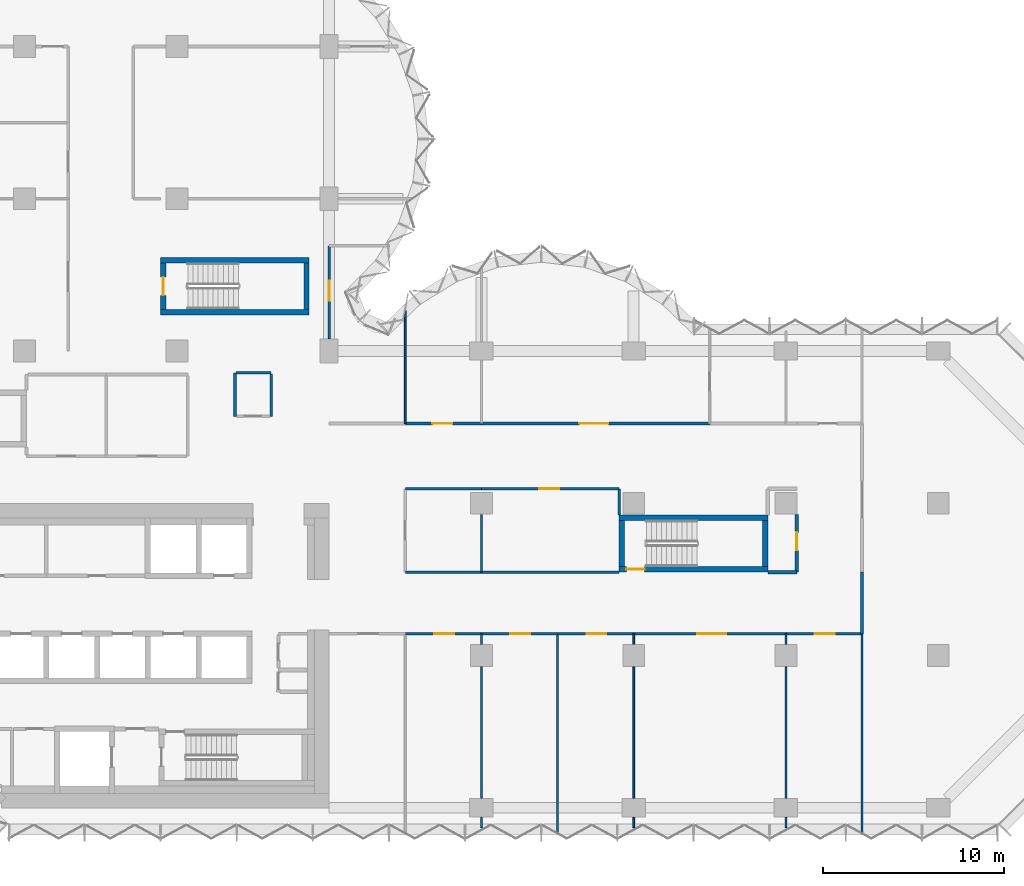
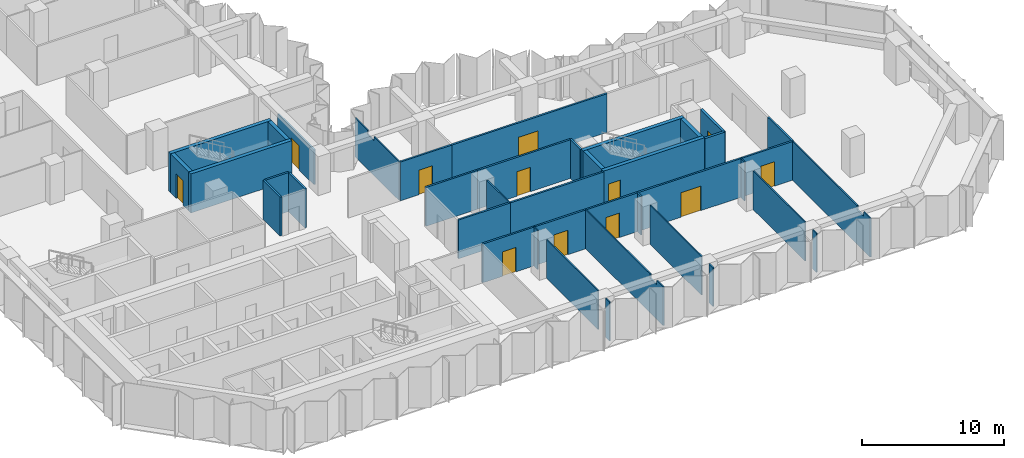
# One storey, part 9 of 13: 40 walls, 12 doors, 12 openings.
"""IFC4 building model written with IfcOpenShell, lengths in metres."""

from ifc_helpers import new_model, si_unit, direction, frame, frame_2d, origin, place, context, subcontext, project, spatial, polyline, rectangle, outline, extrude, material, layer, layer_set, type_object, element, fill, save


model = new_model("IFC4")

# Units and contexts
model_context = context("Model", 3, precision=1e-05, world=origin(), true_north=direction((0.0, 1.0)))
body_context = subcontext(model_context, "Body", "Model", "MODEL_VIEW")
ifc_project = project(units=[si_unit("LENGTHUNIT", "METRE"), si_unit("AREAUNIT", "SQUARE_METRE"), si_unit("VOLUMEUNIT", "CUBIC_METRE"), si_unit("PLANEANGLEUNIT", "RADIAN"), si_unit("MASSUNIT", "GRAM", prefix="KILO")], contexts=[model_context])

# Site, building, storey
site_placement = place(None, origin())
site = spatial("IfcSite", under=ifc_project, at=site_placement, CompositionType="ELEMENT")
building_placement = place(site_placement, origin())
building = spatial("IfcBuilding", under=site, at=building_placement, Name="Brevane Broadcast Tower", CompositionType="ELEMENT")
storey_placement = place(building_placement, frame((0.0, 0.0, 131.300048828125)))
storey = spatial("IfcBuildingStorey", under=building, at=storey_placement, Name="L32", CompositionType="ELEMENT", Elevation=131.300048828125)

# Walls
ifc_material_1 = material(Name="Gypsum board on steel studs", Category="steel")
ifc_layer_1 = layer(ifc_material_1, 0.14990234375)
ifc_layer_set_1 = layer_set([ifc_layer_1], Name="Core fire partition 150 mm")
wall_type_1 = type_object("IfcWallType", Name="Core fire partition 150 mm", PredefinedType="PARTITIONING", material=ifc_layer_set_1)
wall_1_placement = place(storey_placement, frame((20.0, 21.60009765625, 0.0), z_axis=(0.0, 0.0, 1.0), x_axis=(0.0, 1.0, 0.0)))
element("IfcWall", 1, at=wall_1_placement, inside=storey, type_object=wall_type_1, Name="L32 partition wall P25", PredefinedType="PARTITIONING", context=body_context, shape_type="SweptSolid", body=[
    extrude(rectangle(XDim=2.39990234375, YDim=0.14990234375, at=frame_2d((1.199951171875, 0.0))), origin(), (0.0, 0.0, 1.0), 3.349853515625),
])
wall_2_placement = place(storey_placement, frame((20.074951171875, 24.0, 0.0), z_axis=(0.0, 0.0, 1.0), x_axis=(1.0, 0.0, 0.0)))
element("IfcWall", 2, at=wall_2_placement, inside=storey, type_object=wall_type_1, Name="L32 partition wall P26", PredefinedType="PARTITIONING", context=body_context, shape_type="SweptSolid", body=[
    extrude(rectangle(XDim=1.925048828125, YDim=0.14990234375, at=frame_2d((0.96240234375, 0.0))), origin(), (0.0, 0.0, 1.0), 3.349853515625),
])
wall_3_placement = place(storey_placement, frame((22.0, 23.925048828125, 0.0), z_axis=(0.0, 0.0, 1.0), x_axis=(0.0, -1.0, 0.0)))
element("IfcWall", 3, at=wall_3_placement, inside=storey, type_object=wall_type_1, Name="L32 partition wall P27", PredefinedType="PARTITIONING", context=body_context, shape_type="SweptSolid", body=[
    extrude(rectangle(XDim=2.324951171875, YDim=0.14990234375, at=frame_2d((1.16259765625, 0.0))), origin(), (0.0, 0.0, 1.0), 3.349853515625),
])
ifc_material_2 = material(Name="Concrete C60/75", Category="concrete")
ifc_layer_2 = layer(ifc_material_2, 0.300048828125)
ifc_layer_set_2 = layer_set([ifc_layer_2], Name="Core wall 300 mm C60/75")
wall_type_2 = type_object("IfcWallType", Name="Core wall 300 mm C60/75", PredefinedType="SHEAR", material=ifc_layer_set_2)
for number, where, z_axis, x_axis, name in (
    (4, (15.89990234375, 27.35009765625, 0.0), (0.0, 0.0, 1.0), (1.0, 0.0, 0.0), "L32 stair wall ST-3-S"),
    (5, (15.89990234375, 30.199951171875, 0.0), (0.0, 0.0, 1.0), (1.0, 0.0, 0.0), "L32 stair wall ST-3-N"),
):
    element("IfcWall", number, at=place(storey_placement, frame(where, z_axis=z_axis, x_axis=x_axis)), inside=storey, type_object=wall_type_2, Name=name, PredefinedType="SHEAR", context=body_context, shape_type="SweptSolid", body=[
        extrude(rectangle(XDim=8.2001953125, YDim=0.300048828125, at=frame_2d((4.10009765625, 0.0))), origin(), (0.0, 0.0, 1.0), 3.349853515625),
    ])

# Wall, opening, door
wall_4_placement = place(storey_placement, frame((16.050048828125, 27.5, 0.0), z_axis=(0.0, 0.0, 1.0), x_axis=(0.0, 1.0, 0.0)))
wall_4 = element("IfcWall", 6, at=wall_4_placement, inside=storey, type_object=wall_type_2, Name="L32 stair wall ST-3-W", PredefinedType="SHEAR", context=body_context, shape_type="SweptSolid", body=[
    extrude(rectangle(XDim=2.550048828125, YDim=0.300048828125, at=frame_2d((1.27490234375, 0.0))), origin(), (0.0, 0.0, 1.0), 3.349853515625),
])
opening_1_placement = place(wall_4_placement, frame((0.77490234375, 0.0, 0.0)))
opening_1 = element("IfcOpeningElement", 7, at=opening_1_placement, cuts=wall_4, Name="Opening L32-K14", PredefinedType="OPENING", context=body_context, shape_type="SweptSolid", body=[
    extrude(rectangle(XDim=1.0, YDim=2.10009765625, at=frame_2d((0.5, 1.050048828125))), frame((0.0, 0.159912109375, 0.0), z_axis=(0.0, -1.0, 0.0), x_axis=(1.0, 0.0, 0.0)), (0.0, 0.0, 1.0), 0.320068359375),
])
ifc_material_3 = material(Name="Steel", Category="steel")
door_type_1 = type_object("IfcDoorType", Name="Stair door 1000 x 2100", OperationType="SINGLE_SWING_LEFT", PredefinedType="DOOR", material=ifc_material_3)
door_1_placement = place(opening_1_placement, origin())
door_1 = element("IfcDoor", 8, at=door_1_placement, inside=storey, type_object=door_type_1, Name="Door L32-K14", OperationType="SINGLE_SWING_LEFT", OverallHeight=2.10009765625, OverallWidth=1.0, PredefinedType="DOOR", context=body_context, shape_type="SweptSolid", body=[
    extrude(rectangle(XDim=1.0, YDim=2.10009765625, at=frame_2d((0.5, 1.050048828125))), frame((0.0, 0.02490234375, 0.0), z_axis=(0.0, -1.0, 0.0), x_axis=(1.0, 0.0, 0.0)), (0.0, 0.0, 1.0), 0.050048828125),
])
fill(opening_1, door_1)

# Wall
wall_5_placement = place(storey_placement, frame((23.949951171875, 27.5, 0.0), z_axis=(0.0, 0.0, 1.0), x_axis=(0.0, 1.0, 0.0)))
element("IfcWall", 9, at=wall_5_placement, inside=storey, type_object=wall_type_2, Name="L32 stair wall ST-3-E", PredefinedType="SHEAR", context=body_context, shape_type="SweptSolid", body=[
    extrude(rectangle(XDim=2.550048828125, YDim=0.300048828125, at=frame_2d((1.27490234375, 0.0))), origin(), (0.0, 0.0, 1.0), 3.349853515625),
])

# Wall, opening, door
wall_6_placement = place(storey_placement, frame((49.39990234375, 13.14990234375, 0.0), z_axis=(0.0, 0.0, 1.0), x_axis=(-1.0, 0.0, 0.0)))
wall_6 = element("IfcWall", 10, at=wall_6_placement, inside=storey, type_object=wall_type_2, Name="L32 stair wall ST-4-S", PredefinedType="SHEAR", context=body_context, shape_type="SweptSolid", body=[
    extrude(rectangle(XDim=8.199951171875, YDim=0.300048828125, at=frame_2d((4.10009765625, 0.0))), origin(), (0.0, 0.0, 1.0), 3.349853515625),
])
opening_2_placement = place(wall_6_placement, frame((6.800048828125, 0.0, 0.0)))
opening_2 = element("IfcOpeningElement", 11, at=opening_2_placement, cuts=wall_6, Name="Opening L32-K15", PredefinedType="OPENING", context=body_context, shape_type="SweptSolid", body=[
    extrude(rectangle(XDim=1.0, YDim=2.10009765625, at=frame_2d((0.5, 1.050048828125))), frame((0.0, 0.159912109375, 0.0), z_axis=(0.0, -1.0, 0.0), x_axis=(1.0, 0.0, 0.0)), (0.0, 0.0, 1.0), 0.320068359375),
])
door_2_placement = place(opening_2_placement, origin())
door_2 = element("IfcDoor", 12, at=door_2_placement, inside=storey, type_object=door_type_1, Name="Door L32-K15", OperationType="SINGLE_SWING_RIGHT", OverallHeight=2.10009765625, OverallWidth=1.0, PredefinedType="DOOR", context=body_context, shape_type="SweptSolid", body=[
    extrude(rectangle(XDim=1.0, YDim=2.10009765625, at=frame_2d((0.5, 1.050048828125))), frame((0.0, 0.02490234375, 0.0), z_axis=(0.0, -1.0, 0.0), x_axis=(1.0, 0.0, 0.0)), (0.0, 0.0, 1.0), 0.050048828125),
])
fill(opening_2, door_2)

# Walls
wall_7_placement = place(storey_placement, frame((41.199951171875, 16.0, 0.0), z_axis=(0.0, 0.0, 1.0), x_axis=(1.0, 0.0, 0.0)))
element("IfcWall", 13, at=wall_7_placement, inside=storey, type_object=wall_type_2, Name="L32 stair wall ST-4-N", PredefinedType="SHEAR", context=body_context, shape_type="SweptSolid", body=[
    extrude(rectangle(XDim=8.199951171875, YDim=0.300048828125, at=frame_2d((4.10009765625, 0.0))), origin(), (0.0, 0.0, 1.0), 3.349853515625),
])
for number, where, z_axis, x_axis, name in (
    (14, (41.35009765625, 13.300048828125, 0.0), (0.0, 0.0, 1.0), (0.0, 1.0, 0.0), "L32 stair wall ST-4-W"),
    (15, (49.25, 13.300048828125, 0.0), (0.0, 0.0, 1.0), (0.0, 1.0, 0.0), "L32 stair wall ST-4-E"),
):
    element("IfcWall", number, at=place(storey_placement, frame(where, z_axis=z_axis, x_axis=x_axis)), inside=storey, type_object=wall_type_2, Name=name, PredefinedType="SHEAR", context=body_context, shape_type="SweptSolid", body=[
        extrude(rectangle(XDim=2.550048828125, YDim=0.300048828125, at=frame_2d((1.27490234375, 0.0))), origin(), (0.0, 0.0, 1.0), 3.349853515625),
    ])
ifc_material_4 = material(Name="Gypsum board partition")
ifc_layer_3 = layer(ifc_material_4, 0.10009765625)
ifc_layer_set_3 = layer_set([ifc_layer_3], Name="PARTITION 100 STUD")
wall_type_3 = type_object("IfcWallType", Name="PARTITION 100 STUD", PredefinedType="PARTITIONING", material=ifc_layer_set_3)
wall_8_placement = place(storey_placement, frame((29.39990234375, 27.428955078125, 0.0), z_axis=(0.0, 0.0, 1.0), x_axis=(0.0, -1.0, 0.0)))
element("IfcWall", 16, at=wall_8_placement, inside=storey, type_object=wall_type_3, Name="Partition G09-004", PredefinedType="PARTITIONING", context=body_context, shape_type="SweptSolid", body=[
    extrude(outline(polyline([(0.0, 0.0), (6.22900390625, 0.0), (6.22900390625, 3.329833984375), (2.678955078125, 3.329833984375), (2.677001953125, 2.97998046875), (1.781005859375, 2.97998046875), (1.779052734375, 3.329833984375), (0.154052734375, 3.329833984375), (0.0, 3.329833984375), (0.0, 0.0)])), frame((0.0, 0.050048828125, 0.0), z_axis=(0.0, -1.0, 0.0), x_axis=(1.0, 0.0, 0.0)), (0.0, 0.0, 1.0), 0.10009765625),
])
wall_9_placement = place(storey_placement, frame((54.60009765625, -1.364990234375, 0.0), z_axis=(0.0, 0.0, 1.0), x_axis=(0.0, 1.0, 0.0)))
element("IfcWall", 17, at=wall_9_placement, inside=storey, type_object=wall_type_3, Name="Partition G09-017", PredefinedType="PARTITIONING", context=body_context, shape_type="SweptSolid", body=[
    extrude(outline(polyline([(0.0, 0.0), (10.965087890625, 0.0), (10.965087890625, 3.329833984375), (1.81494140625, 3.329833984375), (1.81298828125, 2.97998046875), (0.9169921875, 2.97998046875), (0.9150390625, 3.329833984375), (0.264892578125, 3.329833984375), (0.0, 3.329833984375), (0.0, 0.0)])), frame((0.0, 0.050048828125, 0.0), z_axis=(0.0, -1.0, 0.0), x_axis=(1.0, 0.0, 0.0)), (0.0, 0.0, 1.0), 0.10009765625),
])
wall_10_placement = place(storey_placement, frame((33.60009765625, 16.179931640625, 0.0), z_axis=(0.0, 0.0, 1.0), x_axis=(0.0, -1.0, 0.0)))
element("IfcWall", 18, at=wall_10_placement, inside=storey, type_object=wall_type_3, Name="Partition G09-030", PredefinedType="PARTITIONING", context=body_context, shape_type="SweptSolid", body=[
    extrude(rectangle(XDim=3.179931640625, YDim=0.10009765625, at=frame_2d((1.58984375, 0.0))), origin(), (0.0, 0.0, 1.0), 3.329833984375),
])
wall_11_placement = place(storey_placement, frame((33.60009765625, 9.60009765625, 0.0), z_axis=(0.0, 0.0, 1.0), x_axis=(0.0, -1.0, 0.0)))
element("IfcWall", 19, at=wall_11_placement, inside=storey, type_object=wall_type_3, Name="Partition G09-032", PredefinedType="PARTITIONING", context=body_context, shape_type="SweptSolid", body=[
    extrude(rectangle(XDim=0.580078125, YDim=0.10009765625, at=frame_2d((0.2900390625, 0.0))), origin(), (0.0, 0.0, 1.0), 3.329833984375),
])
wall_12_placement = place(storey_placement, frame((33.60009765625, 7.780029296875, 0.0), z_axis=(0.0, 0.0, 1.0), x_axis=(0.0, -1.0, 0.0)))
element("IfcWall", 20, at=wall_12_placement, inside=storey, type_object=wall_type_3, Name="Partition G09-033", PredefinedType="PARTITIONING", context=body_context, shape_type="SweptSolid", body=[
    extrude(rectangle(XDim=7.260009765625, YDim=0.10009765625, at=frame_2d((3.6298828125, 0.0))), origin(), (0.0, 0.0, 1.0), 3.329833984375),
])
wall_13_placement = place(storey_placement, frame((33.60009765625, -0.52001953125, 0.0), z_axis=(0.0, 0.0, 1.0), x_axis=(0.0, -1.0, 0.0)))
element("IfcWall", 21, at=wall_13_placement, inside=storey, type_object=wall_type_3, Name="Partition G09-034", PredefinedType="PARTITIONING", context=body_context, shape_type="SweptSolid", body=[
    extrude(rectangle(XDim=0.580078125, YDim=0.10009765625, at=frame_2d((0.2900390625, 0.0))), origin(), (0.0, 0.0, 1.0), 3.329833984375),
])
wall_14_placement = place(storey_placement, frame((37.800048828125, 9.60009765625, 0.0), z_axis=(0.0, 0.0, 1.0), x_axis=(0.0, -1.0, 0.0)))
element("IfcWall", 22, at=wall_14_placement, inside=storey, type_object=wall_type_3, Name="Partition G09-035", PredefinedType="PARTITIONING", context=body_context, shape_type="SweptSolid", body=[
    extrude(outline(polyline([(0.0, 0.0), (10.965087890625, 0.0), (10.965087890625, 3.329833984375), (10.699951171875, 3.329833984375), (10.050048828125, 3.329833984375), (10.048095703125, 2.97998046875), (9.152099609375, 2.97998046875), (9.14990234375, 3.329833984375), (0.0, 3.329833984375), (0.0, 0.0)])), frame((0.0, 0.050048828125, 0.0), z_axis=(0.0, -1.0, 0.0), x_axis=(1.0, 0.0, 0.0)), (0.0, 0.0, 1.0), 0.10009765625),
])
wall_15_placement = place(storey_placement, frame((42.0, 9.60009765625, 0.0), z_axis=(0.0, 0.0, 1.0), x_axis=(0.0, -1.0, 0.0)))
element("IfcWall", 23, at=wall_15_placement, inside=storey, type_object=wall_type_3, Name="Partition G09-036", PredefinedType="PARTITIONING", context=body_context, shape_type="SweptSolid", body=[
    extrude(rectangle(XDim=0.580078125, YDim=0.10009765625, at=frame_2d((0.2900390625, 0.0))), origin(), (0.0, 0.0, 1.0), 3.329833984375),
])
wall_16_placement = place(storey_placement, frame((42.0, 7.780029296875, 0.0), z_axis=(0.0, 0.0, 1.0), x_axis=(0.0, -1.0, 0.0)))
element("IfcWall", 24, at=wall_16_placement, inside=storey, type_object=wall_type_3, Name="Partition G09-037", PredefinedType="PARTITIONING", context=body_context, shape_type="SweptSolid", body=[
    extrude(rectangle(XDim=7.260009765625, YDim=0.10009765625, at=frame_2d((3.6298828125, 0.0))), origin(), (0.0, 0.0, 1.0), 3.329833984375),
])
for number, where, z_axis, x_axis, name in (
    (25, (42.0, -0.52001953125, 0.0), (0.0, 0.0, 1.0), (0.0, -1.0, 0.0), "Partition G09-038"),
    (26, (50.39990234375, 9.60009765625, 0.0), (0.0, 0.0, 1.0), (0.0, -1.0, 0.0), "Partition G09-039"),
):
    element("IfcWall", number, at=place(storey_placement, frame(where, z_axis=z_axis, x_axis=x_axis)), inside=storey, type_object=wall_type_3, Name=name, PredefinedType="PARTITIONING", context=body_context, shape_type="SweptSolid", body=[
        extrude(rectangle(XDim=0.580078125, YDim=0.10009765625, at=frame_2d((0.2900390625, 0.0))), origin(), (0.0, 0.0, 1.0), 3.329833984375),
    ])
wall_17_placement = place(storey_placement, frame((50.39990234375, 7.780029296875, 0.0), z_axis=(0.0, 0.0, 1.0), x_axis=(0.0, -1.0, 0.0)))
element("IfcWall", 27, at=wall_17_placement, inside=storey, type_object=wall_type_3, Name="Partition G09-040", PredefinedType="PARTITIONING", context=body_context, shape_type="SweptSolid", body=[
    extrude(rectangle(XDim=7.260009765625, YDim=0.10009765625, at=frame_2d((3.6298828125, 0.0))), origin(), (0.0, 0.0, 1.0), 3.329833984375),
])
wall_18_placement = place(storey_placement, frame((50.39990234375, -0.52001953125, 0.0), z_axis=(0.0, 0.0, 1.0), x_axis=(0.0, -1.0, 0.0)))
element("IfcWall", 28, at=wall_18_placement, inside=storey, type_object=wall_type_3, Name="Partition G09-041", PredefinedType="PARTITIONING", context=body_context, shape_type="SweptSolid", body=[
    extrude(rectangle(XDim=0.580078125, YDim=0.10009765625, at=frame_2d((0.2900390625, 0.0))), origin(), (0.0, 0.0, 1.0), 3.329833984375),
])

# Wall, opening, door
ifc_layer_4 = layer(ifc_material_4, 0.14990234375)
ifc_layer_set_4 = layer_set([ifc_layer_4], Name="PARTITION 150 EI 60")
wall_type_4 = type_object("IfcWallType", Name="PARTITION 150 EI 60", PredefinedType="PARTITIONING", material=ifc_layer_set_4)
wall_19_placement = place(storey_placement, frame((25.199951171875, 31.0, 0.0), z_axis=(0.0, 0.0, 1.0), x_axis=(0.0, -1.0, 0.0)))
wall_19 = element("IfcWall", 29, at=wall_19_placement, inside=storey, type_object=wall_type_4, Name="Partition G09-005", PredefinedType="PARTITIONING", context=body_context, shape_type="SweptSolid", body=[
    extrude(outline(polyline([(0.0, 0.0), (5.1298828125, 0.0), (5.1298828125, 2.97998046875), (0.0, 2.97998046875), (0.0, 0.0)])), frame((0.0, 0.074951171875, 0.0), z_axis=(0.0, -1.0, 0.0), x_axis=(1.0, 0.0, 0.0)), (0.0, 0.0, 1.0), 0.14990234375),
])
opening_3_placement = place(wall_19_placement, frame((1.929931640625, 0.0, 0.0)))
opening_3 = element("IfcOpeningElement", 30, at=opening_3_placement, cuts=wall_19, Name="Opening D16-001", PredefinedType="OPENING", context=body_context, shape_type="SweptSolid", body=[
    extrude(rectangle(XDim=1.10009765625, YDim=2.10009765625, at=frame_2d((0.550048828125, 1.050048828125))), frame((0.0, 0.0849609375, 0.0), z_axis=(0.0, -1.0, 0.0), x_axis=(1.0, 0.0, 0.0)), (0.0, 0.0, 1.0), 0.169921875),
])
ifc_material_5 = material(Name="Fire-rated timber door leaf", Category="wood")
door_type_2 = type_object("IfcDoorType", Name="DOOR SINGLE 1100 FD30S", OperationType="SINGLE_SWING_LEFT", PredefinedType="DOOR", material=ifc_material_5)
door_3_placement = place(opening_3_placement, origin())
door_3 = element("IfcDoor", 31, at=door_3_placement, inside=storey, type_object=door_type_2, Name="Door D16-001", OperationType="SINGLE_SWING_RIGHT", OverallHeight=2.10009765625, OverallWidth=1.10009765625, PredefinedType="DOOR", context=body_context, shape_type="SweptSolid", body=[
    extrude(rectangle(XDim=1.10009765625, YDim=2.10009765625, at=frame_2d((0.550048828125, 1.050048828125))), frame((0.0, 0.02490234375, 0.0), z_axis=(0.0, -1.0, 0.0), x_axis=(1.0, 0.0, 0.0)), (0.0, 0.0, 1.0), 0.050048828125),
])
fill(opening_3, door_3)

# Walls
wall_20_placement = place(storey_placement, frame((54.60009765625, 13.0, 0.0), z_axis=(0.0, 0.0, 1.0), x_axis=(0.0, -1.0, 0.0)))
element("IfcWall", 32, at=wall_20_placement, inside=storey, type_object=wall_type_4, Name="Partition G09-007", PredefinedType="PARTITIONING", context=body_context, shape_type="SweptSolid", body=[
    extrude(rectangle(XDim=3.39990234375, YDim=0.14990234375, at=frame_2d((1.699951171875, 0.0))), origin(), (0.0, 0.0, 1.0), 3.329833984375),
])
wall_21_placement = place(storey_placement, frame((29.39990234375, 13.0, 0.0), z_axis=(0.0, 0.0, 1.0), x_axis=(1.0, 0.0, 0.0)))
element("IfcWall", 33, at=wall_21_placement, inside=storey, type_object=wall_type_4, Name="Partition G09-008", PredefinedType="PARTITIONING", context=body_context, shape_type="SweptSolid", body=[
    extrude(rectangle(XDim=4.2001953125, YDim=0.14990234375, at=frame_2d((2.10009765625, 0.0))), origin(), (0.0, 0.0, 1.0), 3.329833984375),
])
wall_22_placement = place(storey_placement, frame((33.60009765625, 13.0, 0.0), z_axis=(0.0, 0.0, 1.0), x_axis=(1.0, 0.0, 0.0)))
element("IfcWall", 34, at=wall_22_placement, inside=storey, type_object=wall_type_4, Name="Partition G09-009", PredefinedType="PARTITIONING", context=body_context, shape_type="SweptSolid", body=[
    extrude(rectangle(XDim=7.599853515625, YDim=0.14990234375, at=frame_2d((3.7998046875, 0.0))), origin(), (0.0, 0.0, 1.0), 3.329833984375),
])

# Wall, opening, door
wall_23_placement = place(storey_placement, frame((33.60009765625, 9.60009765625, 0.0), z_axis=(0.0, 0.0, 1.0), x_axis=(-1.0, 0.0, 0.0)))
wall_23 = element("IfcWall", 35, at=wall_23_placement, inside=storey, type_object=wall_type_4, Name="Partition G09-011", PredefinedType="PARTITIONING", context=body_context, shape_type="SweptSolid", body=[
    extrude(rectangle(XDim=4.2001953125, YDim=0.14990234375, at=frame_2d((2.10009765625, 0.0))), origin(), (0.0, 0.0, 1.0), 3.329833984375),
])
opening_4_placement = place(wall_23_placement, frame((1.5, 0.0, 0.0)))
opening_4 = element("IfcOpeningElement", 36, at=opening_4_placement, cuts=wall_23, Name="Opening D16-007", PredefinedType="OPENING", context=body_context, shape_type="SweptSolid", body=[
    extrude(rectangle(XDim=1.10009765625, YDim=2.10009765625, at=frame_2d((0.550048828125, 1.050048828125))), frame((0.0, 0.0849609375, 0.0), z_axis=(0.0, -1.0, 0.0), x_axis=(1.0, 0.0, 0.0)), (0.0, 0.0, 1.0), 0.169921875),
])
door_4_placement = place(opening_4_placement, origin())
door_4 = element("IfcDoor", 37, at=door_4_placement, inside=storey, type_object=door_type_2, Name="Door D16-007", OperationType="SINGLE_SWING_LEFT", OverallHeight=2.10009765625, OverallWidth=1.10009765625, PredefinedType="DOOR", context=body_context, shape_type="SweptSolid", body=[
    extrude(rectangle(XDim=1.10009765625, YDim=2.10009765625, at=frame_2d((0.550048828125, 1.050048828125))), frame((0.0, 0.02490234375, 0.0), z_axis=(0.0, -1.0, 0.0), x_axis=(1.0, 0.0, 0.0)), (0.0, 0.0, 1.0), 0.050048828125),
])
fill(opening_4, door_4)

wall_24_placement = place(storey_placement, frame((37.800048828125, 9.60009765625, 0.0), z_axis=(0.0, 0.0, 1.0), x_axis=(-1.0, 0.0, 0.0)))
wall_24 = element("IfcWall", 38, at=wall_24_placement, inside=storey, type_object=wall_type_4, Name="Partition G09-012", PredefinedType="PARTITIONING", context=body_context, shape_type="SweptSolid", body=[
    extrude(rectangle(XDim=4.199951171875, YDim=0.14990234375, at=frame_2d((2.10009765625, 0.0))), origin(), (0.0, 0.0, 1.0), 3.329833984375),
])
opening_5_placement = place(wall_24_placement, frame((1.5, 0.0, 0.0)))
opening_5 = element("IfcOpeningElement", 39, at=opening_5_placement, cuts=wall_24, Name="Opening D16-008", PredefinedType="OPENING", context=body_context, shape_type="SweptSolid", body=[
    extrude(rectangle(XDim=1.10009765625, YDim=2.10009765625, at=frame_2d((0.550048828125, 1.050048828125))), frame((0.0, 0.0849609375, 0.0), z_axis=(0.0, -1.0, 0.0), x_axis=(1.0, 0.0, 0.0)), (0.0, 0.0, 1.0), 0.169921875),
])
door_5_placement = place(opening_5_placement, origin())
door_5 = element("IfcDoor", 40, at=door_5_placement, inside=storey, type_object=door_type_2, Name="Door D16-008", OperationType="SINGLE_SWING_LEFT", OverallHeight=2.10009765625, OverallWidth=1.10009765625, PredefinedType="DOOR", context=body_context, shape_type="SweptSolid", body=[
    extrude(rectangle(XDim=1.10009765625, YDim=2.10009765625, at=frame_2d((0.550048828125, 1.050048828125))), frame((0.0, 0.02490234375, 0.0), z_axis=(0.0, -1.0, 0.0), x_axis=(1.0, 0.0, 0.0)), (0.0, 0.0, 1.0), 0.050048828125),
])
fill(opening_5, door_5)

wall_25_placement = place(storey_placement, frame((42.0, 9.60009765625, 0.0), z_axis=(0.0, 0.0, 1.0), x_axis=(-1.0, 0.0, 0.0)))
wall_25 = element("IfcWall", 41, at=wall_25_placement, inside=storey, type_object=wall_type_4, Name="Partition G09-013", PredefinedType="PARTITIONING", context=body_context, shape_type="SweptSolid", body=[
    extrude(rectangle(XDim=4.199951171875, YDim=0.14990234375, at=frame_2d((2.10009765625, 0.0))), origin(), (0.0, 0.0, 1.0), 3.329833984375),
])
opening_6_placement = place(wall_25_placement, frame((1.5, 0.0, 0.0)))
opening_6 = element("IfcOpeningElement", 42, at=opening_6_placement, cuts=wall_25, Name="Opening D16-009", PredefinedType="OPENING", context=body_context, shape_type="SweptSolid", body=[
    extrude(rectangle(XDim=1.10009765625, YDim=2.10009765625, at=frame_2d((0.550048828125, 1.050048828125))), frame((0.0, 0.0849609375, 0.0), z_axis=(0.0, -1.0, 0.0), x_axis=(1.0, 0.0, 0.0)), (0.0, 0.0, 1.0), 0.169921875),
])
door_6_placement = place(opening_6_placement, origin())
door_6 = element("IfcDoor", 43, at=door_6_placement, inside=storey, type_object=door_type_2, Name="Door D16-009", OperationType="SINGLE_SWING_LEFT", OverallHeight=2.10009765625, OverallWidth=1.10009765625, PredefinedType="DOOR", context=body_context, shape_type="SweptSolid", body=[
    extrude(rectangle(XDim=1.10009765625, YDim=2.10009765625, at=frame_2d((0.550048828125, 1.050048828125))), frame((0.0, 0.02490234375, 0.0), z_axis=(0.0, -1.0, 0.0), x_axis=(1.0, 0.0, 0.0)), (0.0, 0.0, 1.0), 0.050048828125),
])
fill(opening_6, door_6)

wall_26_placement = place(storey_placement, frame((50.39990234375, 9.60009765625, 0.0), z_axis=(0.0, 0.0, 1.0), x_axis=(-1.0, 0.0, 0.0)))
wall_26 = element("IfcWall", 44, at=wall_26_placement, inside=storey, type_object=wall_type_4, Name="Partition G09-014", PredefinedType="PARTITIONING", context=body_context, shape_type="SweptSolid", body=[
    extrude(rectangle(XDim=8.39990234375, YDim=0.14990234375, at=frame_2d((4.199951171875, 0.0))), origin(), (0.0, 0.0, 1.0), 3.329833984375),
])
opening_7_placement = place(wall_26_placement, frame((3.300048828125, 0.0, 0.0)))
opening_7 = element("IfcOpeningElement", 45, at=opening_7_placement, cuts=wall_26, Name="Opening D16-010", PredefinedType="OPENING", context=body_context, shape_type="SweptSolid", body=[
    extrude(rectangle(XDim=1.60009765625, YDim=2.10009765625, at=frame_2d((0.800048828125, 1.050048828125))), frame((0.0, 0.0849609375, 0.0), z_axis=(0.0, -1.0, 0.0), x_axis=(1.0, 0.0, 0.0)), (0.0, 0.0, 1.0), 0.169921875),
])
door_type_3 = type_object("IfcDoorType", Name="DOOR DOUBLE 1600 FD30S", OperationType="DOUBLE_DOOR_SINGLE_SWING", PredefinedType="DOOR", material=ifc_material_5)
door_7_placement = place(opening_7_placement, origin())
door_7 = element("IfcDoor", 46, at=door_7_placement, inside=storey, type_object=door_type_3, Name="Door D16-010", OperationType="DOUBLE_DOOR_SINGLE_SWING", OverallHeight=2.10009765625, OverallWidth=1.60009765625, PredefinedType="DOOR", context=body_context, shape_type="SweptSolid", body=[
    extrude(rectangle(XDim=1.60009765625, YDim=2.10009765625, at=frame_2d((0.800048828125, 1.050048828125))), frame((0.0, 0.02490234375, 0.0), z_axis=(0.0, -1.0, 0.0), x_axis=(1.0, 0.0, 0.0)), (0.0, 0.0, 1.0), 0.050048828125),
])
fill(opening_7, door_7)

wall_27_placement = place(storey_placement, frame((54.60009765625, 9.60009765625, 0.0), z_axis=(0.0, 0.0, 1.0), x_axis=(-1.0, 0.0, 0.0)))
wall_27 = element("IfcWall", 47, at=wall_27_placement, inside=storey, type_object=wall_type_4, Name="Partition G09-015", PredefinedType="PARTITIONING", context=body_context, shape_type="SweptSolid", body=[
    extrude(rectangle(XDim=4.2001953125, YDim=0.14990234375, at=frame_2d((2.10009765625, 0.0))), origin(), (0.0, 0.0, 1.0), 3.329833984375),
])
opening_8_placement = place(wall_27_placement, frame((1.5, 0.0, 0.0)))
opening_8 = element("IfcOpeningElement", 48, at=opening_8_placement, cuts=wall_27, Name="Opening D16-011", PredefinedType="OPENING", context=body_context, shape_type="SweptSolid", body=[
    extrude(rectangle(XDim=1.10009765625, YDim=2.10009765625, at=frame_2d((0.550048828125, 1.050048828125))), frame((0.0, 0.0849609375, 0.0), z_axis=(0.0, -1.0, 0.0), x_axis=(1.0, 0.0, 0.0)), (0.0, 0.0, 1.0), 0.169921875),
])
door_8_placement = place(opening_8_placement, origin())
door_8 = element("IfcDoor", 49, at=door_8_placement, inside=storey, type_object=door_type_2, Name="Door D16-011", OperationType="SINGLE_SWING_LEFT", OverallHeight=2.10009765625, OverallWidth=1.10009765625, PredefinedType="DOOR", context=body_context, shape_type="SweptSolid", body=[
    extrude(rectangle(XDim=1.10009765625, YDim=2.10009765625, at=frame_2d((0.550048828125, 1.050048828125))), frame((0.0, 0.02490234375, 0.0), z_axis=(0.0, -1.0, 0.0), x_axis=(1.0, 0.0, 0.0)), (0.0, 0.0, 1.0), 0.050048828125),
])
fill(opening_8, door_8)

# Walls
wall_28_placement = place(storey_placement, frame((33.60009765625, 17.60009765625, 0.0), z_axis=(0.0, 0.0, 1.0), x_axis=(-1.0, 0.0, 0.0)))
element("IfcWall", 50, at=wall_28_placement, inside=storey, type_object=wall_type_4, Name="Partition G09-019", PredefinedType="PARTITIONING", context=body_context, shape_type="SweptSolid", body=[
    extrude(rectangle(XDim=4.2001953125, YDim=0.14990234375, at=frame_2d((2.10009765625, 0.0))), origin(), (0.0, 0.0, 1.0), 3.329833984375),
])
wall_29_placement = place(storey_placement, frame((41.199951171875, 16.14990234375, 0.0), z_axis=(0.0, 0.0, 1.0), x_axis=(0.0, 1.0, 0.0)))
element("IfcWall", 51, at=wall_29_placement, inside=storey, type_object=wall_type_4, Name="Partition G09-020", PredefinedType="PARTITIONING", context=body_context, shape_type="SweptSolid", body=[
    extrude(rectangle(XDim=1.4501953125, YDim=0.14990234375, at=frame_2d((0.72509765625, 0.0))), origin(), (0.0, 0.0, 1.0), 3.329833984375),
])

# Wall, opening, door
wall_30_placement = place(storey_placement, frame((41.199951171875, 17.60009765625, 0.0), z_axis=(0.0, 0.0, 1.0), x_axis=(-1.0, 0.0, 0.0)))
wall_30 = element("IfcWall", 52, at=wall_30_placement, inside=storey, type_object=wall_type_4, Name="Partition G09-021", PredefinedType="PARTITIONING", context=body_context, shape_type="SweptSolid", body=[
    extrude(rectangle(XDim=7.599853515625, YDim=0.14990234375, at=frame_2d((3.7998046875, 0.0))), origin(), (0.0, 0.0, 1.0), 3.329833984375),
])
opening_9_placement = place(wall_30_placement, frame((3.300048828125, 0.0, 0.0)))
opening_9 = element("IfcOpeningElement", 53, at=opening_9_placement, cuts=wall_30, Name="Opening D16-004", PredefinedType="OPENING", context=body_context, shape_type="SweptSolid", body=[
    extrude(rectangle(XDim=1.10009765625, YDim=2.10009765625, at=frame_2d((0.550048828125, 1.050048828125))), frame((0.0, 0.0849609375, 0.0), z_axis=(0.0, -1.0, 0.0), x_axis=(1.0, 0.0, 0.0)), (0.0, 0.0, 1.0), 0.169921875),
])
door_9_placement = place(opening_9_placement, origin())
door_9 = element("IfcDoor", 54, at=door_9_placement, inside=storey, type_object=door_type_2, Name="Door D16-004", OperationType="SINGLE_SWING_LEFT", OverallHeight=2.10009765625, OverallWidth=1.10009765625, PredefinedType="DOOR", context=body_context, shape_type="SweptSolid", body=[
    extrude(rectangle(XDim=1.10009765625, YDim=2.10009765625, at=frame_2d((0.550048828125, 1.050048828125))), frame((0.0, 0.02490234375, 0.0), z_axis=(0.0, -1.0, 0.0), x_axis=(1.0, 0.0, 0.0)), (0.0, 0.0, 1.0), 0.050048828125),
])
fill(opening_9, door_9)

wall_31_placement = place(storey_placement, frame((29.39990234375, 21.199951171875, 0.0), z_axis=(0.0, 0.0, 1.0), x_axis=(1.0, 0.0, 0.0)))
wall_31 = element("IfcWall", 55, at=wall_31_placement, inside=storey, type_object=wall_type_4, Name="Partition G09-024", PredefinedType="PARTITIONING", context=body_context, shape_type="SweptSolid", body=[
    extrude(rectangle(XDim=4.2001953125, YDim=0.14990234375, at=frame_2d((2.10009765625, 0.0))), origin(), (0.0, 0.0, 1.0), 3.329833984375),
])
opening_10_placement = place(wall_31_placement, frame((1.5, 0.0, 0.0)))
opening_10 = element("IfcOpeningElement", 56, at=opening_10_placement, cuts=wall_31, Name="Opening D16-012", PredefinedType="OPENING", context=body_context, shape_type="SweptSolid", body=[
    extrude(rectangle(XDim=1.10009765625, YDim=2.10009765625, at=frame_2d((0.550048828125, 1.050048828125))), frame((0.0, 0.0849609375, 0.0), z_axis=(0.0, -1.0, 0.0), x_axis=(1.0, 0.0, 0.0)), (0.0, 0.0, 1.0), 0.169921875),
])
door_10_placement = place(opening_10_placement, origin())
door_10 = element("IfcDoor", 57, at=door_10_placement, inside=storey, type_object=door_type_2, Name="Door D16-012", OperationType="SINGLE_SWING_LEFT", OverallHeight=2.10009765625, OverallWidth=1.10009765625, PredefinedType="DOOR", context=body_context, shape_type="SweptSolid", body=[
    extrude(rectangle(XDim=1.10009765625, YDim=2.10009765625, at=frame_2d((0.550048828125, 1.050048828125))), frame((0.0, 0.02490234375, 0.0), z_axis=(0.0, -1.0, 0.0), x_axis=(1.0, 0.0, 0.0)), (0.0, 0.0, 1.0), 0.050048828125),
])
fill(opening_10, door_10)

wall_32_placement = place(storey_placement, frame((33.60009765625, 21.199951171875, 0.0), z_axis=(0.0, 0.0, 1.0), x_axis=(1.0, 0.0, 0.0)))
wall_32 = element("IfcWall", 58, at=wall_32_placement, inside=storey, type_object=wall_type_4, Name="Partition G09-025", PredefinedType="PARTITIONING", context=body_context, shape_type="SweptSolid", body=[
    extrude(rectangle(XDim=12.599853515625, YDim=0.14990234375, at=frame_2d((6.2998046875, 0.0))), origin(), (0.0, 0.0, 1.0), 3.329833984375),
])
opening_11_placement = place(wall_32_placement, frame((5.39990234375, 0.0, 0.0)))
opening_11 = element("IfcOpeningElement", 59, at=opening_11_placement, cuts=wall_32, Name="Opening D16-013", PredefinedType="OPENING", context=body_context, shape_type="SweptSolid", body=[
    extrude(rectangle(XDim=1.60009765625, YDim=2.10009765625, at=frame_2d((0.800048828125, 1.050048828125))), frame((0.0, 0.0849609375, 0.0), z_axis=(0.0, -1.0, 0.0), x_axis=(1.0, 0.0, 0.0)), (0.0, 0.0, 1.0), 0.169921875),
])
door_11_placement = place(opening_11_placement, origin())
door_11 = element("IfcDoor", 60, at=door_11_placement, inside=storey, type_object=door_type_3, Name="Door D16-013", OperationType="DOUBLE_DOOR_SINGLE_SWING", OverallHeight=2.10009765625, OverallWidth=1.60009765625, PredefinedType="DOOR", context=body_context, shape_type="SweptSolid", body=[
    extrude(rectangle(XDim=1.60009765625, YDim=2.10009765625, at=frame_2d((0.800048828125, 1.050048828125))), frame((0.0, 0.02490234375, 0.0), z_axis=(0.0, -1.0, 0.0), x_axis=(1.0, 0.0, 0.0)), (0.0, 0.0, 1.0), 0.050048828125),
])
fill(opening_11, door_11)

# Wall
ifc_layer_5 = layer(ifc_material_4, 0.199951171875)
ifc_layer_set_5 = layer_set([ifc_layer_5], Name="PARTITION 200 EI 120")
wall_type_5 = type_object("IfcWallType", Name="PARTITION 200 EI 120", PredefinedType="PARTITIONING", material=ifc_layer_set_5)
wall_33_placement = place(storey_placement, frame((49.39990234375, 13.0, 0.0), z_axis=(0.0, 0.0, 1.0), x_axis=(1.0, 0.0, 0.0)))
element("IfcWall", 61, at=wall_33_placement, inside=storey, type_object=wall_type_5, Name="Partition G09-010", PredefinedType="PARTITIONING", context=body_context, shape_type="SweptSolid", body=[
    extrude(rectangle(XDim=1.60009765625, YDim=0.199951171875, at=frame_2d((0.800048828125, 0.0))), origin(), (0.0, 0.0, 1.0), 3.329833984375),
])

# Wall, opening, door
wall_34_placement = place(storey_placement, frame((51.0, 13.0, 0.0), z_axis=(0.0, 0.0, 1.0), x_axis=(0.0, 1.0, 0.0)))
wall_34 = element("IfcWall", 62, at=wall_34_placement, inside=storey, type_object=wall_type_5, Name="Partition G09-028", PredefinedType="PARTITIONING", context=body_context, shape_type="SweptSolid", body=[
    extrude(rectangle(XDim=3.179931640625, YDim=0.199951171875, at=frame_2d((1.58984375, 0.0))), origin(), (0.0, 0.0, 1.0), 3.329833984375),
])
opening_12_placement = place(wall_34_placement, frame((1.199951171875, 0.0, 0.0)))
opening_12 = element("IfcOpeningElement", 63, at=opening_12_placement, cuts=wall_34, Name="Opening D16-005", PredefinedType="OPENING", context=body_context, shape_type="SweptSolid", body=[
    extrude(rectangle(XDim=1.0, YDim=2.10009765625, at=frame_2d((0.5, 1.050048828125))), frame((0.0, 0.10986328125, 0.0), z_axis=(0.0, -1.0, 0.0), x_axis=(1.0, 0.0, 0.0)), (0.0, 0.0, 1.0), 0.219970703125),
])
door_type_4 = type_object("IfcDoorType", Name="DOOR SINGLE 1000 FD60", OperationType="SINGLE_SWING_LEFT", PredefinedType="DOOR", material=ifc_material_5)
door_12_placement = place(opening_12_placement, origin())
door_12 = element("IfcDoor", 64, at=door_12_placement, inside=storey, type_object=door_type_4, Name="Door D16-005", OperationType="SINGLE_SWING_LEFT", OverallHeight=2.10009765625, OverallWidth=1.0, PredefinedType="DOOR", context=body_context, shape_type="SweptSolid", body=[
    extrude(rectangle(XDim=1.0, YDim=2.10009765625, at=frame_2d((0.5, 1.050048828125))), frame((0.0, 0.02490234375, 0.0), z_axis=(0.0, -1.0, 0.0), x_axis=(1.0, 0.0, 0.0)), (0.0, 0.0, 1.0), 0.050048828125),
])
fill(opening_12, door_12)

save(model, "model.ifc")
